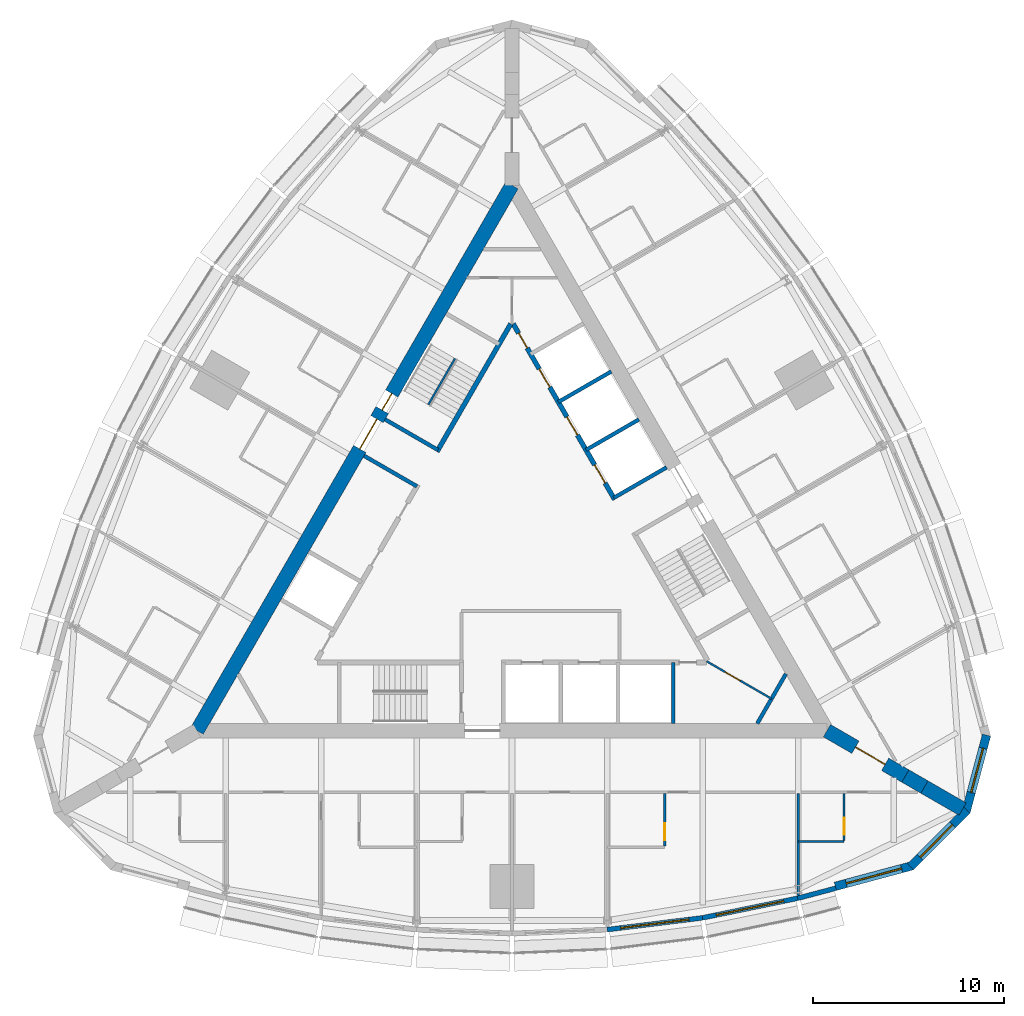
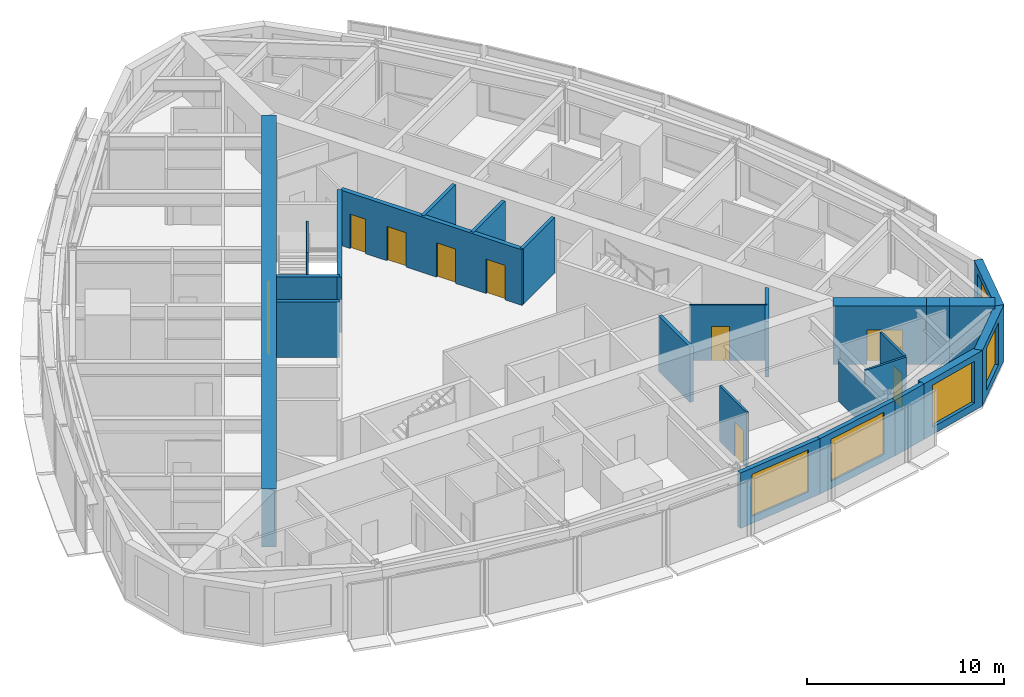
# One storey, part 11 of 15: 25 walls, 10 doors, 5 windows, 15 openings.
"""IFC4 building model written with IfcOpenShell, lengths in metres."""

from ifc_helpers import new_model, si_unit, direction, frame, frame_2d, origin, place, context, subcontext, project, spatial, polyline, rectangle, outline, extrude, material, layer, layer_set, type_object, element, fill, save


model = new_model("IFC4")

# Units and contexts
model_context = context("Model", 3, precision=1e-05, world=origin(), true_north=direction((0.0, 1.0)))
body_context = subcontext(model_context, "Body", "Model", "MODEL_VIEW")
ifc_project = project(units=[si_unit("LENGTHUNIT", "METRE"), si_unit("AREAUNIT", "SQUARE_METRE"), si_unit("VOLUMEUNIT", "CUBIC_METRE"), si_unit("PLANEANGLEUNIT", "RADIAN"), si_unit("MASSUNIT", "GRAM", prefix="KILO")], contexts=[model_context])

# Site, building, storey
site_placement = place(None, origin())
site = spatial("IfcSite", under=ifc_project, at=site_placement, CompositionType="ELEMENT")
building_placement = place(site_placement, origin())
building = spatial("IfcBuilding", under=site, at=building_placement, Name="Trikona Tower", CompositionType="ELEMENT")
storey_placement = place(building_placement, frame((0.0, 0.0, 208.10009765625)))
storey = spatial("IfcBuildingStorey", under=building, at=storey_placement, Name="L55", CompositionType="ELEMENT", Elevation=208.10009765625)

# Wall, opening, door
ifc_material_1 = material(Name="Metal stud and cement board", Category="gypsum")
ifc_layer_1 = layer(ifc_material_1, 0.1201171875)
ifc_layer_set_1 = layer_set([ifc_layer_1], Name="Bathroom wall 120")
wall_type_1 = type_object("IfcWallType", Name="Bathroom wall 120", PredefinedType="PLUMBINGWALL", material=ifc_layer_set_1)
wall_1_placement = place(storey_placement, frame((8.0, -12.826416015625, 0.0), z_axis=(0.0, 0.0, 1.0), x_axis=(0.0, -1.0, 0.0)))
wall_1 = element("IfcWall", 1, at=wall_1_placement, inside=storey, type_object=wall_type_1, Name="Bathroom wall 5504", PredefinedType="PLUMBINGWALL", context=body_context, shape_type="SweptSolid", body=[
    extrude(rectangle(XDim=2.739990234375, YDim=0.1201171875, at=frame_2d((1.3701171875, 0.0))), origin(), (0.0, 0.0, 1.0), 3.434814453125),
])
opening_1_placement = place(wall_1_placement, frame((1.550048828125, 0.0, 0.0)))
opening_1 = element("IfcOpeningElement", 2, at=opening_1_placement, cuts=wall_1, Name="Opening D2", PredefinedType="OPENING", context=body_context, shape_type="SweptSolid", body=[
    extrude(rectangle(XDim=0.89990234375, YDim=2.1298828125, at=frame_2d((0.449951171875, 1.06494140625))), frame((0.0, 0.070068359375, 0.0), z_axis=(0.0, -1.0, 0.0), x_axis=(1.0, 0.0, 0.0)), (0.0, 0.0, 1.0), 0.14013671875),
])
ifc_material_2 = material(Name="Steel door frame with solid-core timber leaf", Category="steel")
door_type_1 = type_object("IfcDoorType", Name="Bathroom door 900x2130", OperationType="SLIDING_TO_LEFT", PredefinedType="DOOR", material=ifc_material_2)
door_1_placement = place(opening_1_placement, origin())
door_1 = element("IfcDoor", 3, at=door_1_placement, inside=storey, type_object=door_type_1, Name="Bathroom door 5504", OperationType="SLIDING_TO_LEFT", OverallHeight=2.1298828125, OverallWidth=0.89990234375, PredefinedType="DOOR", context=body_context, shape_type="SweptSolid", body=[
    extrude(rectangle(XDim=0.89990234375, YDim=2.1298828125, at=frame_2d((0.449951171875, 1.06494140625))), frame((0.0, 0.02490234375, 0.0), z_axis=(0.0, -1.0, 0.0), x_axis=(1.0, 0.0, 0.0)), (0.0, 0.0, 1.0), 0.050048828125),
])
fill(opening_1, door_1)

# Wall
wall_2_placement = place(storey_placement, frame((15.0, -15.326416015625, 0.0), z_axis=(0.0, 0.0, 1.0), x_axis=(1.0, 0.0, 0.0)))
element("IfcWall", 4, at=wall_2_placement, inside=storey, type_object=wall_type_1, Name="Bathroom wall 5505", PredefinedType="PLUMBINGWALL", context=body_context, shape_type="SweptSolid", body=[
    extrude(rectangle(XDim=2.39990234375, YDim=0.1201171875, at=frame_2d((1.199951171875, 0.0))), origin(), (0.0, 0.0, 1.0), 3.434814453125),
])

# Wall, opening, door
wall_3_placement = place(storey_placement, frame((17.39990234375, -12.826416015625, 0.0), z_axis=(0.0, 0.0, 1.0), x_axis=(0.0, -1.0, 0.0)))
wall_3 = element("IfcWall", 5, at=wall_3_placement, inside=storey, type_object=wall_type_1, Name="Bathroom wall 5505", PredefinedType="PLUMBINGWALL", context=body_context, shape_type="SweptSolid", body=[
    extrude(rectangle(XDim=2.43994140625, YDim=0.1201171875, at=frame_2d((1.219970703125, 0.0))), origin(), (0.0, 0.0, 1.0), 3.434814453125),
])
opening_2_placement = place(wall_3_placement, frame((1.25, 0.0, 0.0)))
opening_2 = element("IfcOpeningElement", 6, at=opening_2_placement, cuts=wall_3, Name="Opening D2", PredefinedType="OPENING", context=body_context, shape_type="SweptSolid", body=[
    extrude(rectangle(XDim=0.89990234375, YDim=2.1298828125, at=frame_2d((0.449951171875, 1.06494140625))), frame((0.0, 0.070068359375, 0.0), z_axis=(0.0, -1.0, 0.0), x_axis=(1.0, 0.0, 0.0)), (0.0, 0.0, 1.0), 0.14013671875),
])
door_2_placement = place(opening_2_placement, origin())
door_2 = element("IfcDoor", 7, at=door_2_placement, inside=storey, type_object=door_type_1, Name="Bathroom door 5505", OperationType="SLIDING_TO_LEFT", OverallHeight=2.1298828125, OverallWidth=0.89990234375, PredefinedType="DOOR", context=body_context, shape_type="SweptSolid", body=[
    extrude(rectangle(XDim=0.89990234375, YDim=2.1298828125, at=frame_2d((0.449951171875, 1.06494140625))), frame((0.0, 0.02490234375, 0.0), z_axis=(0.0, -1.0, 0.0), x_axis=(1.0, 0.0, 0.0)), (0.0, 0.0, 1.0), 0.050048828125),
])
fill(opening_2, door_2)

# Wall, opening, window
ifc_material_3 = material(Name="Brick-faced precast concrete", Category="masonry")
ifc_layer_2 = layer(ifc_material_3, 0.449951171875)
ifc_layer_set_2 = layer_set([ifc_layer_2], Name="Brick-faced corner wall 450")
wall_type_2 = type_object("IfcWallType", Name="Brick-faced corner wall 450", PredefinedType="SOLIDWALL", material=ifc_layer_set_2)
wall_4_placement = place(storey_placement, frame((16.94189453125, -17.6806640625, 0.0), z_axis=(0.0, 0.0, 1.0), x_axis=(0.965920442324, 0.258839137498, 0.0)))
wall_4 = element("IfcWall", 8, at=wall_4_placement, inside=storey, type_object=wall_type_2, Name="External wall L55-08", PredefinedType="SOLIDWALL", context=body_context, shape_type="SweptSolid", body=[
    extrude(rectangle(XDim=4.18408203125, YDim=0.449951171875, at=frame_2d((2.092041015625, 0.0))), origin(), (0.0, 0.0, 1.0), 3.434814453125),
])
opening_3_placement = place(wall_4_placement, frame((0.592041015625, 0.0, 0.449951171875)))
opening_3 = element("IfcOpeningElement", 9, at=opening_3_placement, cuts=wall_4, Name="Opening W3026", PredefinedType="OPENING", context=body_context, shape_type="SweptSolid", body=[
    extrude(rectangle(XDim=3.0, YDim=2.60009765625, at=frame_2d((1.5, 1.300048828125))), frame((0.0, 0.23486328125, 0.0), z_axis=(0.0, -1.0, 0.0), x_axis=(1.0, 0.0, 0.0)), (0.0, 0.0, 1.0), 0.469970703125),
])
ifc_material_4 = material(Name="Aluminium-framed double glazing", Category="aluminium")
window_type_1 = type_object("IfcWindowType", Name="Window 3000x2600", PartitioningType="SINGLE_PANEL", PredefinedType="WINDOW", material=ifc_material_4)
window_1_placement = place(opening_3_placement, origin())
window_1 = element("IfcWindow", 10, at=window_1_placement, inside=storey, type_object=window_type_1, Name="Window 5505", OverallHeight=2.60009765625, OverallWidth=3.0, PartitioningType="SINGLE_PANEL", PredefinedType="WINDOW", context=body_context, shape_type="SweptSolid", body=[
    extrude(rectangle(XDim=3.0, YDim=2.60009765625, at=frame_2d((1.5, 1.300048828125))), frame((0.0, 0.030029296875, 0.0), z_axis=(0.0, -1.0, 0.0), x_axis=(1.0, 0.0, 0.0)), (0.0, 0.0, 1.0), 0.06005859375),
])
fill(opening_3, window_1)

wall_5_placement = place(storey_placement, frame((20.88232421875, -16.656005859375, 0.0), z_axis=(0.0, 0.0, 1.0), x_axis=(0.707077605902, 0.707135955267, 0.0)))
wall_5 = element("IfcWall", 11, at=wall_5_placement, inside=storey, type_object=wall_type_2, Name="External wall L55-09", PredefinedType="SOLIDWALL", context=body_context, shape_type="SweptSolid", body=[
    extrude(outline(polyline([(4.18408203125, 0.22509765625), (4.125244140625, 0.22509765625), (3.705322265625, 0.112548828125), (3.67529296875, 0.22509765625), (0.0, 0.22509765625), (0.0, -0.22509765625), (4.18408203125, -0.22509765625), (4.18408203125, 0.22509765625)])), origin(), (0.0, 0.0, 1.0), 3.434814453125),
])
opening_4_placement = place(wall_5_placement, frame((0.712646484375, 0.0, 0.449951171875)))
opening_4 = element("IfcOpeningElement", 12, at=opening_4_placement, cuts=wall_5, Name="Opening W2426", PredefinedType="OPENING", context=body_context, shape_type="SweptSolid", body=[
    extrude(rectangle(XDim=2.39990234375, YDim=2.60009765625, at=frame_2d((1.199951171875, 1.300048828125))), frame((0.0, 0.23486328125, 0.0), z_axis=(0.0, -1.0, 0.0), x_axis=(1.0, 0.0, 0.0)), (0.0, 0.0, 1.0), 0.469970703125),
])
ifc_material_5 = material(Name="Aluminium-framed double glazing", Category="aluminium")
window_type_2 = type_object("IfcWindowType", Name="Window 2400x2600", PartitioningType="SINGLE_PANEL", PredefinedType="WINDOW", material=ifc_material_5)
window_2_placement = place(opening_4_placement, origin())
window_2 = element("IfcWindow", 13, at=window_2_placement, inside=storey, type_object=window_type_2, Name="Window 5505", OverallHeight=2.60009765625, OverallWidth=2.39990234375, PartitioningType="SINGLE_PANEL", PredefinedType="WINDOW", context=body_context, shape_type="SweptSolid", body=[
    extrude(rectangle(XDim=2.39990234375, YDim=2.60009765625, at=frame_2d((1.199951171875, 1.300048828125))), frame((0.0, 0.030029296875, 0.0), z_axis=(0.0, -1.0, 0.0), x_axis=(1.0, 0.0, 0.0)), (0.0, 0.0, 1.0), 0.06005859375),
])
fill(opening_4, window_2)

wall_6_placement = place(storey_placement, frame((23.78271484375, -13.798095703125, 0.0), z_axis=(0.0, 0.0, 1.0), x_axis=(0.258799282522, 0.96593112144, 0.0)))
wall_6 = element("IfcWall", 14, at=wall_6_placement, inside=storey, type_object=wall_type_2, Name="External wall L55-10", PredefinedType="SOLIDWALL", context=body_context, shape_type="SweptSolid", body=[
    extrude(outline(polyline([(4.183837890625, 0.22509765625), (0.5087890625, 0.22509765625), (0.478759765625, 0.112548828125), (0.059326171875, 0.22509765625), (0.0, 0.22509765625), (0.0, -0.22509765625), (4.183837890625, -0.22509765625), (4.183837890625, 0.22509765625)])), origin(), (0.0, 0.0, 1.0), 3.434814453125),
])
opening_5_placement = place(wall_6_placement, frame((1.0712890625, 0.0, 0.449951171875)))
opening_5 = element("IfcOpeningElement", 15, at=opening_5_placement, cuts=wall_6, Name="Opening W2426", PredefinedType="OPENING", context=body_context, shape_type="SweptSolid", body=[
    extrude(rectangle(XDim=2.39990234375, YDim=2.60009765625, at=frame_2d((1.199951171875, 1.300048828125))), frame((0.0, 0.23486328125, 0.0), z_axis=(0.0, -1.0, 0.0), x_axis=(1.0, 0.0, 0.0)), (0.0, 0.0, 1.0), 0.469970703125),
])
window_3_placement = place(opening_5_placement, origin())
window_3 = element("IfcWindow", 16, at=window_3_placement, inside=storey, type_object=window_type_2, Name="Window 5506", OverallHeight=2.60009765625, OverallWidth=2.39990234375, PartitioningType="SINGLE_PANEL", PredefinedType="WINDOW", context=body_context, shape_type="SweptSolid", body=[
    extrude(rectangle(XDim=2.39990234375, YDim=2.60009765625, at=frame_2d((1.199951171875, 1.300048828125))), frame((0.0, 0.030029296875, 0.0), z_axis=(0.0, -1.0, 0.0), x_axis=(1.0, 0.0, 0.0)), (0.0, 0.0, 1.0), 0.06005859375),
])
fill(opening_5, window_3)

# Wall, opening, door
ifc_material_6 = material(Name="Concrete f'c 10000 psi", Category="concrete")
ifc_layer_3 = layer(ifc_material_6, 0.75)
ifc_layer_set_3 = layer_set([ifc_layer_3], Name="Buttress wall 750")
wall_type_3 = type_object("IfcWallType", Name="Buttress wall 750", PredefinedType="SHEAR", material=ifc_layer_set_3)
wall_7_placement = place(storey_placement, frame((16.5, -9.5263671875, 0.0), z_axis=(0.0, 0.0, 1.0), x_axis=(0.866031398331, -0.499989616998, 0.0)))
wall_7 = element("IfcWall", 17, at=wall_7_placement, inside=storey, type_object=wall_type_3, Name="Buttress wall 1", PredefinedType="SHEAR", context=body_context, shape_type="SweptSolid", body=[
    extrude(rectangle(XDim=4.74609375, YDim=0.75, at=frame_2d((2.373046875, 0.0))), origin(), (0.0, 0.0, 1.0), 3.599853515625),
])
opening_6_placement = place(wall_7_placement, frame((1.72509765625, 0.0, 0.0)))
opening_6 = element("IfcOpeningElement", 18, at=opening_6_placement, cuts=wall_7, Name="Opening D10", PredefinedType="OPENING", context=body_context, shape_type="SweptSolid", body=[
    extrude(rectangle(XDim=1.800048828125, YDim=2.1298828125, at=frame_2d((0.89990234375, 1.06494140625))), frame((0.0, 0.385009765625, 0.0), z_axis=(0.0, -1.0, 0.0), x_axis=(1.0, 0.0, 0.0)), (0.0, 0.0, 1.0), 0.77001953125),
])
ifc_material_7 = material(Name="Hollow metal door and frame", Category="steel")
door_type_2 = type_object("IfcDoorType", Name="Cross-corridor door pair 1800x2130", OperationType="DOUBLE_DOOR_DOUBLE_SWING", PredefinedType="DOOR", material=ifc_material_7)
door_3_placement = place(opening_6_placement, origin())
door_3 = element("IfcDoor", 19, at=door_3_placement, inside=storey, type_object=door_type_2, Name="Cross-corridor door 1", OperationType="DOUBLE_DOOR_DOUBLE_SWING", OverallHeight=2.1298828125, OverallWidth=1.800048828125, PredefinedType="DOOR", context=body_context, shape_type="SweptSolid", body=[
    extrude(rectangle(XDim=1.800048828125, YDim=2.1298828125, at=frame_2d((0.89990234375, 1.06494140625))), frame((0.0, 0.02490234375, 0.0), z_axis=(0.0, -1.0, 0.0), x_axis=(1.0, 0.0, 0.0)), (0.0, 0.0, 1.0), 0.050048828125),
])
fill(opening_6, door_3)

# Walls
wall_8_placement = place(storey_placement, frame((20.6103515625, -11.8994140625, 0.0), z_axis=(0.0, 0.0, 1.0), x_axis=(0.866009537788, -0.500027479704, 0.0)))
element("IfcWall", 20, at=wall_8_placement, inside=storey, type_object=wall_type_3, Name="Buttress wall 1 part 2", PredefinedType="SHEAR", context=body_context, shape_type="SweptSolid", body=[
    extrude(rectangle(XDim=1.15478515625, YDim=0.75, at=frame_2d((0.577392578125, 0.0))), origin(), (0.0, 0.0, 1.0), 3.599853515625),
])
wall_9_placement = place(storey_placement, frame((21.6103515625, -12.476806640625, 0.0), z_axis=(0.0, 0.0, 1.0), x_axis=(0.866055313784, -0.499948190782, 0.0)))
element("IfcWall", 21, at=wall_9_placement, inside=storey, type_object=wall_type_3, Name="Buttress wall 1 part 3", PredefinedType="SHEAR", context=body_context, shape_type="SweptSolid", body=[
    extrude(rectangle(XDim=2.309326171875, YDim=0.75, at=frame_2d((1.15478515625, 0.0))), origin(), (0.0, 0.0, 1.0), 3.599853515625),
])

# Wall, openings, doors
ifc_material_8 = material(Name="Concrete f'c 10000 psi", Category="concrete")
ifc_layer_4 = layer(ifc_material_8, 0.75)
ifc_layer_set_4 = layer_set([ifc_layer_4], Name="Core wall 750")
wall_type_4 = type_object("IfcWallType", Name="Core wall 750", PredefinedType="SHEAR", material=ifc_layer_set_4)
wall_10_placement = place(storey_placement, frame((0.0, 19.052490234375, 0.0), z_axis=(0.0, 0.0, 1.0), x_axis=(-0.499999749417, -0.866025548458, 0.0)))
wall_10 = element("IfcWall", 22, at=wall_10_placement, inside=storey, type_object=wall_type_4, Name="Core wall C", PredefinedType="SHEAR", context=body_context, shape_type="SweptSolid", body=[
    extrude(rectangle(XDim=33.0, YDim=0.75, at=frame_2d((16.5, 0.0))), origin(), (0.0, 0.0, 1.0), 3.599853515625),
])
opening_7_placement = place(wall_10_placement, frame((14.14990234375, 0.0, 0.0)))
opening_7 = element("IfcOpeningElement", 23, at=opening_7_placement, cuts=wall_10, Name="Opening D6", PredefinedType="OPENING", context=body_context, shape_type="SweptSolid", body=[
    extrude(rectangle(XDim=1.800048828125, YDim=2.1298828125, at=frame_2d((0.89990234375, 1.06494140625))), frame((0.0, 0.385009765625, 0.0), z_axis=(0.0, -1.0, 0.0), x_axis=(1.0, 0.0, 0.0)), (0.0, 0.0, 1.0), 0.77001953125),
])
opening_8_placement = place(wall_10_placement, frame((12.60009765625, 0.0, 0.0)))
opening_8 = element("IfcOpeningElement", 24, at=opening_8_placement, cuts=wall_10, Name="Opening D5", PredefinedType="OPENING", context=body_context, shape_type="SweptSolid", body=[
    extrude(rectangle(XDim=1.0, YDim=2.1298828125, at=frame_2d((0.5, 1.06494140625))), frame((0.0, 0.385009765625, 0.0), z_axis=(0.0, -1.0, 0.0), x_axis=(1.0, 0.0, 0.0)), (0.0, 0.0, 1.0), 0.77001953125),
])
ifc_material_9 = material(Name="Hollow metal door and frame", Category="steel")
door_type_3 = type_object("IfcDoorType", Name="Lobby door pair 1800x2130", OperationType="DOUBLE_DOOR_SINGLE_SWING", PredefinedType="DOOR", material=ifc_material_9)
door_4_placement = place(opening_7_placement, origin())
door_4 = element("IfcDoor", 25, at=door_4_placement, inside=storey, type_object=door_type_3, Name="Lift lobby door C", OperationType="DOUBLE_DOOR_SINGLE_SWING", OverallHeight=2.1298828125, OverallWidth=1.800048828125, PredefinedType="DOOR", context=body_context, shape_type="SweptSolid", body=[
    extrude(rectangle(XDim=1.800048828125, YDim=2.1298828125, at=frame_2d((0.89990234375, 1.06494140625))), frame((0.0, 0.02490234375, 0.0), z_axis=(0.0, -1.0, 0.0), x_axis=(1.0, 0.0, 0.0)), (0.0, 0.0, 1.0), 0.050048828125),
])
fill(opening_7, door_4)
ifc_material_10 = material(Name="Hollow metal door and frame", Category="steel")
door_type_4 = type_object("IfcDoorType", Name="Stair door 1000x2130", OperationType="SINGLE_SWING_LEFT", PredefinedType="DOOR", material=ifc_material_10)
door_5_placement = place(opening_8_placement, origin())
door_5 = element("IfcDoor", 26, at=door_5_placement, inside=storey, type_object=door_type_4, Name="Stair C door", OperationType="SINGLE_SWING_RIGHT", OverallHeight=2.1298828125, OverallWidth=1.0, PredefinedType="DOOR", context=body_context, shape_type="SweptSolid", body=[
    extrude(rectangle(XDim=1.0, YDim=2.1298828125, at=frame_2d((0.5, 1.06494140625))), frame((0.0, 0.02490234375, 0.0), z_axis=(0.0, -1.0, 0.0), x_axis=(1.0, 0.0, 0.0)), (0.0, 0.0, 1.0), 0.050048828125),
])
fill(opening_8, door_5)

ifc_material_11 = material(Name="Concrete f'c 8000 psi", Category="concrete")
ifc_layer_5 = layer(ifc_material_11, 0.25)
ifc_layer_set_5 = layer_set([ifc_layer_5], Name="Hub wall 250")
wall_type_5 = type_object("IfcWallType", Name="Hub wall 250", PredefinedType="SOLIDWALL", material=ifc_layer_set_5)
wall_11_placement = place(storey_placement, frame((5.37890625, 2.5859375, 0.0), z_axis=(0.0, 0.0, 1.0), x_axis=(-0.500001375892, 0.866024609411, 0.0)))
wall_11 = element("IfcWall", 27, at=wall_11_placement, inside=storey, type_object=wall_type_5, Name="Lift lobby wall B2", PredefinedType="SOLIDWALL", context=body_context, shape_type="SweptSolid", body=[
    extrude(rectangle(XDim=10.6328125, YDim=0.25, at=frame_2d((5.31640625, 0.0))), origin(), (0.0, 0.0, 1.0), 3.434814453125),
])
opening_9_placement = place(wall_11_placement, frame((9.1640625, 0.0, 0.0)))
opening_9 = element("IfcOpeningElement", 28, at=opening_9_placement, cuts=wall_11, Name="Opening D14", PredefinedType="OPENING", context=body_context, shape_type="SweptSolid", body=[
    extrude(rectangle(XDim=0.89990234375, YDim=2.1298828125, at=frame_2d((0.449951171875, 1.06494140625))), frame((0.0, 0.135009765625, 0.0), z_axis=(0.0, -1.0, 0.0), x_axis=(1.0, 0.0, 0.0)), (0.0, 0.0, 1.0), 0.27001953125),
])
opening_10_placement = place(wall_11_placement, frame((1.0, 0.0, 0.0)))
opening_10 = element("IfcOpeningElement", 29, at=opening_10_placement, cuts=wall_11, Name="Opening LD", PredefinedType="OPENING", context=body_context, shape_type="SweptSolid", body=[
    extrude(rectangle(XDim=1.10009765625, YDim=2.1298828125, at=frame_2d((0.550048828125, 1.06494140625))), frame((0.0, 0.135009765625, 0.0), z_axis=(0.0, -1.0, 0.0), x_axis=(1.0, 0.0, 0.0)), (0.0, 0.0, 1.0), 0.27001953125),
])
opening_11_placement = place(wall_11_placement, frame((3.89990234375, 0.0, 0.0)))
opening_11 = element("IfcOpeningElement", 30, at=opening_11_placement, cuts=wall_11, Name="Opening LD", PredefinedType="OPENING", context=body_context, shape_type="SweptSolid", body=[
    extrude(rectangle(XDim=1.10009765625, YDim=2.1298828125, at=frame_2d((0.550048828125, 1.06494140625))), frame((0.0, 0.135009765625, 0.0), z_axis=(0.0, -1.0, 0.0), x_axis=(1.0, 0.0, 0.0)), (0.0, 0.0, 1.0), 0.27001953125),
])
opening_12_placement = place(wall_11_placement, frame((6.800048828125, 0.0, 0.0)))
opening_12 = element("IfcOpeningElement", 31, at=opening_12_placement, cuts=wall_11, Name="Opening LD", PredefinedType="OPENING", context=body_context, shape_type="SweptSolid", body=[
    extrude(rectangle(XDim=1.10009765625, YDim=2.1298828125, at=frame_2d((0.550048828125, 1.06494140625))), frame((0.0, 0.135009765625, 0.0), z_axis=(0.0, -1.0, 0.0), x_axis=(1.0, 0.0, 0.0)), (0.0, 0.0, 1.0), 0.27001953125),
])
ifc_material_12 = material(Name="Stainless steel lift landing door", Category="steel")
door_type_5 = type_object("IfcDoorType", Name="Lift landing door 1100x2130", OperationType="DOUBLE_DOOR_SLIDING", PredefinedType="USERDEFINED", material=ifc_material_12)
door_6_placement = place(opening_10_placement, origin())
door_6 = element("IfcDoor", 32, at=door_6_placement, inside=storey, type_object=door_type_5, Name="Lift landing door L3-1", ObjectType="LIFT LANDING DOOR", OperationType="DOUBLE_DOOR_SLIDING", OverallHeight=2.1298828125, OverallWidth=1.10009765625, PredefinedType="USERDEFINED", context=body_context, shape_type="SweptSolid", body=[
    extrude(rectangle(XDim=1.10009765625, YDim=2.1298828125, at=frame_2d((0.550048828125, 1.06494140625))), frame((0.0, 0.02490234375, 0.0), z_axis=(0.0, -1.0, 0.0), x_axis=(1.0, 0.0, 0.0)), (0.0, 0.0, 1.0), 0.050048828125),
])
fill(opening_10, door_6)
door_7_placement = place(opening_11_placement, origin())
door_7 = element("IfcDoor", 33, at=door_7_placement, inside=storey, type_object=door_type_5, Name="Lift landing door L3-2", ObjectType="LIFT LANDING DOOR", OperationType="DOUBLE_DOOR_SLIDING", OverallHeight=2.1298828125, OverallWidth=1.10009765625, PredefinedType="USERDEFINED", context=body_context, shape_type="SweptSolid", body=[
    extrude(rectangle(XDim=1.10009765625, YDim=2.1298828125, at=frame_2d((0.550048828125, 1.06494140625))), frame((0.0, 0.02490234375, 0.0), z_axis=(0.0, -1.0, 0.0), x_axis=(1.0, 0.0, 0.0)), (0.0, 0.0, 1.0), 0.050048828125),
])
fill(opening_11, door_7)
door_8_placement = place(opening_12_placement, origin())
door_8 = element("IfcDoor", 34, at=door_8_placement, inside=storey, type_object=door_type_5, Name="Lift landing door L3-3", ObjectType="LIFT LANDING DOOR", OperationType="DOUBLE_DOOR_SLIDING", OverallHeight=2.1298828125, OverallWidth=1.10009765625, PredefinedType="USERDEFINED", context=body_context, shape_type="SweptSolid", body=[
    extrude(rectangle(XDim=1.10009765625, YDim=2.1298828125, at=frame_2d((0.550048828125, 1.06494140625))), frame((0.0, 0.02490234375, 0.0), z_axis=(0.0, -1.0, 0.0), x_axis=(1.0, 0.0, 0.0)), (0.0, 0.0, 1.0), 0.050048828125),
])
fill(opening_12, door_8)
ifc_material_13 = material(Name="Hollow metal door and frame", Category="steel")
door_type_6 = type_object("IfcDoorType", Name="Service room door 900x2130", OperationType="SINGLE_SWING_LEFT", PredefinedType="DOOR", material=ifc_material_13)
door_9_placement = place(opening_9_placement, origin())
door_9 = element("IfcDoor", 35, at=door_9_placement, inside=storey, type_object=door_type_6, Name="Door Housekeeping store HKS", OperationType="SINGLE_SWING_RIGHT", OverallHeight=2.1298828125, OverallWidth=0.89990234375, PredefinedType="DOOR", context=body_context, shape_type="SweptSolid", body=[
    extrude(rectangle(XDim=0.89990234375, YDim=2.1298828125, at=frame_2d((0.449951171875, 1.06494140625))), frame((0.0, 0.02490234375, 0.0), z_axis=(0.0, -1.0, 0.0), x_axis=(1.0, 0.0, 0.0)), (0.0, 0.0, 1.0), 0.050048828125),
])
fill(opening_9, door_9)

# Wall
wall_12_placement = place(storey_placement, frame((-0.0625, 11.794189453125, 0.0), z_axis=(0.0, 0.0, 1.0), x_axis=(-0.500006680225, -0.86602154692, 0.0)))
element("IfcWall", 36, at=wall_12_placement, inside=storey, type_object=wall_type_5, Name="Lift lobby wall C1", PredefinedType="SOLIDWALL", context=body_context, shape_type="SweptSolid", body=[
    extrude(rectangle(XDim=7.73291015625, YDim=0.25, at=frame_2d((3.866455078125, 0.0))), origin(), (0.0, 0.0, 1.0), 3.434814453125),
])

# Wall, opening, window
ifc_material_14 = material(Name="Insulated precast concrete spandrel panel", Category="concrete")
ifc_layer_6 = layer(ifc_material_14, 0.25)
ifc_layer_set_6 = layer_set([ifc_layer_6], Name="Inner skin wall 250")
wall_type_6 = type_object("IfcWallType", Name="Inner skin wall 250", PredefinedType="STANDARD", material=ifc_layer_set_6)
wall_13_placement = place(storey_placement, frame((4.984619140625, -19.947998046875, 0.0), z_axis=(0.0, 0.0, 1.0), x_axis=(0.992449874964, 0.12265090984, 0.0)))
wall_13 = element("IfcWall", 37, at=wall_13_placement, inside=storey, type_object=wall_type_6, Name="External wall L55-05", PredefinedType="STANDARD", context=body_context, shape_type="SweptSolid", body=[
    extrude(rectangle(XDim=5.0380859375, YDim=0.25, at=frame_2d((2.51904296875, 0.0))), origin(), (0.0, 0.0, 1.0), 3.434814453125),
])
opening_13_placement = place(wall_13_placement, frame((0.718994140625, 0.0, 0.449951171875)))
opening_13 = element("IfcOpeningElement", 38, at=opening_13_placement, cuts=wall_13, Name="Opening W3626", PredefinedType="OPENING", context=body_context, shape_type="SweptSolid", body=[
    extrude(rectangle(XDim=3.60009765625, YDim=2.60009765625, at=frame_2d((1.800048828125, 1.300048828125))), frame((0.0, 0.135009765625, 0.0), z_axis=(0.0, -1.0, 0.0), x_axis=(1.0, 0.0, 0.0)), (0.0, 0.0, 1.0), 0.27001953125),
])
ifc_material_15 = material(Name="Aluminium-framed double glazing", Category="aluminium")
window_type_3 = type_object("IfcWindowType", Name="Window 3600x2600", PartitioningType="SINGLE_PANEL", PredefinedType="WINDOW", material=ifc_material_15)
window_4_placement = place(opening_13_placement, origin())
window_4 = element("IfcWindow", 39, at=window_4_placement, inside=storey, type_object=window_type_3, Name="Window 5504", OverallHeight=2.60009765625, OverallWidth=3.60009765625, PartitioningType="SINGLE_PANEL", PredefinedType="WINDOW", context=body_context, shape_type="SweptSolid", body=[
    extrude(rectangle(XDim=3.60009765625, YDim=2.60009765625, at=frame_2d((1.800048828125, 1.300048828125))), frame((0.0, 0.030029296875, 0.0), z_axis=(0.0, -1.0, 0.0), x_axis=(1.0, 0.0, 0.0)), (0.0, 0.0, 1.0), 0.06005859375),
])
fill(opening_13, window_4)

wall_14_placement = place(storey_placement, frame((9.974853515625, -19.331787109375, 0.0), z_axis=(0.0, 0.0, 1.0), x_axis=(0.979461488189, 0.201631329795, 0.0)))
wall_14 = element("IfcWall", 40, at=wall_14_placement, inside=storey, type_object=wall_type_6, Name="External wall L55-06", PredefinedType="STANDARD", context=body_context, shape_type="SweptSolid", body=[
    extrude(rectangle(XDim=5.104736328125, YDim=0.25, at=frame_2d((2.55224609375, 0.0))), origin(), (0.0, 0.0, 1.0), 3.434814453125),
])
opening_14_placement = place(wall_14_placement, frame((0.75244140625, 0.0, 0.449951171875)))
opening_14 = element("IfcOpeningElement", 41, at=opening_14_placement, cuts=wall_14, Name="Opening W3626", PredefinedType="OPENING", context=body_context, shape_type="SweptSolid", body=[
    extrude(rectangle(XDim=3.60009765625, YDim=2.60009765625, at=frame_2d((1.800048828125, 1.300048828125))), frame((0.0, 0.135009765625, 0.0), z_axis=(0.0, -1.0, 0.0), x_axis=(1.0, 0.0, 0.0)), (0.0, 0.0, 1.0), 0.27001953125),
])
window_5_placement = place(opening_14_placement, origin())
window_5 = element("IfcWindow", 42, at=window_5_placement, inside=storey, type_object=window_type_3, Name="Window 5504", OverallHeight=2.60009765625, OverallWidth=3.60009765625, PartitioningType="SINGLE_PANEL", PredefinedType="WINDOW", context=body_context, shape_type="SweptSolid", body=[
    extrude(rectangle(XDim=3.60009765625, YDim=2.60009765625, at=frame_2d((1.800048828125, 1.300048828125))), frame((0.0, 0.030029296875, 0.0), z_axis=(0.0, -1.0, 0.0), x_axis=(1.0, 0.0, 0.0)), (0.0, 0.0, 1.0), 0.06005859375),
])
fill(opening_14, window_5)

# Walls
wall_15_placement = place(storey_placement, frame((14.968017578125, -18.303955078125, 0.0), z_axis=(0.0, 0.0, 1.0), x_axis=(0.967010286052, 0.254737328772, 0.0)))
element("IfcWall", 43, at=wall_15_placement, inside=storey, type_object=wall_type_6, Name="External wall L55-07", PredefinedType="STANDARD", context=body_context, shape_type="SweptSolid", body=[
    extrude(rectangle(XDim=2.068115234375, YDim=0.25, at=frame_2d((1.0341796875, 0.0))), origin(), (0.0, 0.0, 1.0), 3.434814453125),
])
ifc_material_16 = material(Name="Metal stud and gypsum board, 1-hour acoustic", Category="gypsum")
ifc_layer_7 = layer(ifc_material_16, 0.14990234375)
ifc_layer_set_7 = layer_set([ifc_layer_7], Name="Party wall 150")
wall_type_7 = type_object("IfcWallType", Name="Party wall 150", PredefinedType="PARTITIONING", material=ifc_layer_set_7)
wall_16_placement = place(storey_placement, frame((15.0, -12.826416015625, 0.0), z_axis=(0.0, 0.0, 1.0), x_axis=(0.0, -1.0, 0.0)))
element("IfcWall", 44, at=wall_16_placement, inside=storey, type_object=wall_type_7, Name="Partition L55 F1 u15", PredefinedType="PARTITIONING", context=body_context, shape_type="SweptSolid", body=[
    extrude(rectangle(XDim=5.340087890625, YDim=0.14990234375, at=frame_2d((2.669921875, 0.0))), origin(), (0.0, 0.0, 1.0), 2.589111328125),
])
ifc_material_17 = material(Name="Concrete f'c 8000 psi", Category="concrete")
ifc_layer_8 = layer(ifc_material_17, 0.199951171875)
ifc_layer_set_8 = layer_set([ifc_layer_8], Name="Shaft wall 200")
wall_type_8 = type_object("IfcWallType", Name="Shaft wall 200", PredefinedType="SOLIDWALL", material=ifc_layer_set_8)
wall_17_placement = place(storey_placement, frame((8.449951171875, -5.951416015625, 0.0), z_axis=(0.0, 0.0, 1.0), x_axis=(0.0, -1.0, 0.0)))
element("IfcWall", 45, at=wall_17_placement, inside=storey, type_object=wall_type_8, Name="Shaft wall A6", PredefinedType="SOLIDWALL", context=body_context, shape_type="SweptSolid", body=[
    extrude(rectangle(XDim=3.199951171875, YDim=0.199951171875, at=frame_2d((1.60009765625, 0.0))), origin(), (0.0, 0.0, 1.0), 3.434814453125),
])
wall_18_placement = place(storey_placement, frame((5.3291015625, 2.672607421875, 0.0), z_axis=(0.0, 0.0, 1.0), x_axis=(0.866022944154, 0.50000426018, 0.0)))
element("IfcWall", 46, at=wall_18_placement, inside=storey, type_object=wall_type_8, Name="Shaft wall B3", PredefinedType="SOLIDWALL", context=body_context, shape_type="SweptSolid", body=[
    extrude(rectangle(XDim=3.19970703125, YDim=0.199951171875, at=frame_2d((1.599853515625, 0.0))), origin(), (0.0, 0.0, 1.0), 3.434814453125),
])
for number, where, z_axis, x_axis, name in (
    (47, (3.87890625, 5.18408203125, 0.0), (0.0, 0.0, 1.0), (0.866042017984, 0.499971222258, 0.0), "Shaft wall B4"),
    (48, (2.428955078125, 7.695556640625, 0.0), (0.0, 0.0, 1.0), (0.866042017984, 0.499971222258, 0.0), "Shaft wall B5"),
    (49, (-4.97900390625, 3.27880859375, 0.0), (0.0, 0.0, 1.0), (-0.866042017984, 0.499971222258, 0.0), "Shaft wall C3"),
):
    element("IfcWall", number, at=place(storey_placement, frame(where, z_axis=z_axis, x_axis=x_axis)), inside=storey, type_object=wall_type_8, Name=name, PredefinedType="SOLIDWALL", context=body_context, shape_type="SweptSolid", body=[
        extrude(rectangle(XDim=3.199951171875, YDim=0.199951171875, at=frame_2d((1.60009765625, 0.0))), origin(), (0.0, 0.0, 1.0), 3.434814453125),
    ])
wall_19_placement = place(storey_placement, frame((14.349365234375, -6.55126953125, 0.0), z_axis=(0.0, 0.0, 1.0), x_axis=(-0.499952404951, -0.866052881055, 0.0)))
element("IfcWall", 50, at=wall_19_placement, inside=storey, type_object=wall_type_8, Name="Riser wall L55-RS1", PredefinedType="SOLIDWALL", context=body_context, shape_type="SweptSolid", body=[
    extrude(rectangle(XDim=3.002197265625, YDim=0.199951171875, at=frame_2d((1.5009765625, 0.0))), origin(), (0.0, 0.0, 1.0), 3.434814453125),
])
ifc_material_18 = material(Name="Concrete f'c 8000 psi", Category="concrete")
ifc_layer_9 = layer(ifc_material_18, 0.199951171875)
ifc_layer_set_9 = layer_set([ifc_layer_9], Name="Shaft wall 200 load-bearing")
wall_type_9 = type_object("IfcWallType", Name="Shaft wall 200 load-bearing", PredefinedType="SOLIDWALL", material=ifc_layer_set_9)
wall_20_placement = place(storey_placement, frame((-3.87890625, 5.18408203125, 0.0), z_axis=(0.0, 0.0, 1.0), x_axis=(-0.866042017984, 0.499971222258, 0.0)))
element("IfcWall", 51, at=wall_20_placement, inside=storey, type_object=wall_type_9, Name="Shaft wall C2", PredefinedType="SOLIDWALL", context=body_context, shape_type="SweptSolid", body=[
    extrude(rectangle(XDim=3.199951171875, YDim=0.199951171875, at=frame_2d((1.60009765625, 0.0))), origin(), (0.0, 0.0, 1.0), 3.434814453125),
])
ifc_material_19 = material(Name="Concrete f'c 5000 psi", Category="concrete")
ifc_layer_10 = layer(ifc_material_19, 0.10009765625)
ifc_layer_set_10 = layer_set([ifc_layer_10], Name="Stair spine wall 100")
wall_type_10 = type_object("IfcWallType", Name="Stair spine wall 100", PredefinedType="SOLIDWALL", material=ifc_layer_set_10)
wall_21_placement = place(storey_placement, frame((-2.98779296875, 9.9775390625, 0.0), z_axis=(0.0, 0.0, 1.0), x_axis=(-0.499992232847, -0.866029888106, 0.0)))
element("IfcWall", 52, at=wall_21_placement, inside=storey, type_object=wall_type_10, Name="Stair C spine wall L55", PredefinedType="SOLIDWALL", context=body_context, shape_type="SweptSolid", body=[
    extrude(rectangle(XDim=2.7939453125, YDim=0.10009765625, at=frame_2d((1.39697265625, 0.0))), origin(), (0.0, 0.0, 1.0), 3.599853515625),
])

# Wall, opening, door
ifc_material_20 = material(Name="Metal stud and gypsum board, acoustic", Category="gypsum")
ifc_layer_11 = layer(ifc_material_20, 0.10009765625)
ifc_layer_set_11 = layer_set([ifc_layer_11], Name="Suite partition 100")
wall_type_11 = type_object("IfcWallType", Name="Suite partition 100", PredefinedType="PARTITIONING", material=ifc_layer_set_11)
wall_22_placement = place(storey_placement, frame((13.598876953125, -7.851318359375, 0.0), z_axis=(0.0, 0.0, 1.0), x_axis=(-0.866026081073, 0.499998826899, 0.0)))
wall_22 = element("IfcWall", 53, at=wall_22_placement, inside=storey, type_object=wall_type_11, Name="Store partition L55-RS1", PredefinedType="PARTITIONING", context=body_context, shape_type="SweptSolid", body=[
    extrude(rectangle(XDim=3.92529296875, YDim=0.10009765625, at=frame_2d((1.962646484375, 0.0))), origin(), (0.0, 0.0, 1.0), 3.434814453125),
])
opening_15_placement = place(wall_22_placement, frame((1.905029296875, 0.0, 0.0)))
opening_15 = element("IfcOpeningElement", 54, at=opening_15_placement, cuts=wall_22, Name="Opening D15", PredefinedType="OPENING", context=body_context, shape_type="SweptSolid", body=[
    extrude(rectangle(XDim=0.89990234375, YDim=2.1298828125, at=frame_2d((0.449951171875, 1.06494140625))), frame((0.0, 0.06005859375, 0.0), z_axis=(0.0, -1.0, 0.0), x_axis=(1.0, 0.0, 0.0)), (0.0, 0.0, 1.0), 0.1201171875),
])
ifc_material_21 = material(Name="Steel door frame with solid-core timber leaf", Category="steel")
door_type_7 = type_object("IfcDoorType", Name="Store door 900x2130", OperationType="SINGLE_SWING_LEFT", PredefinedType="DOOR", material=ifc_material_21)
door_10_placement = place(opening_15_placement, origin())
door_10 = element("IfcDoor", 55, at=door_10_placement, inside=storey, type_object=door_type_7, Name="Door Minibar store MBS", OperationType="SINGLE_SWING_RIGHT", OverallHeight=2.1298828125, OverallWidth=0.89990234375, PredefinedType="DOOR", context=body_context, shape_type="SweptSolid", body=[
    extrude(rectangle(XDim=0.89990234375, YDim=2.1298828125, at=frame_2d((0.449951171875, 1.06494140625))), frame((0.0, 0.02490234375, 0.0), z_axis=(0.0, -1.0, 0.0), x_axis=(1.0, 0.0, 0.0)), (0.0, 0.0, 1.0), 0.050048828125),
])
fill(opening_15, door_10)

save(model, "model.ifc")
